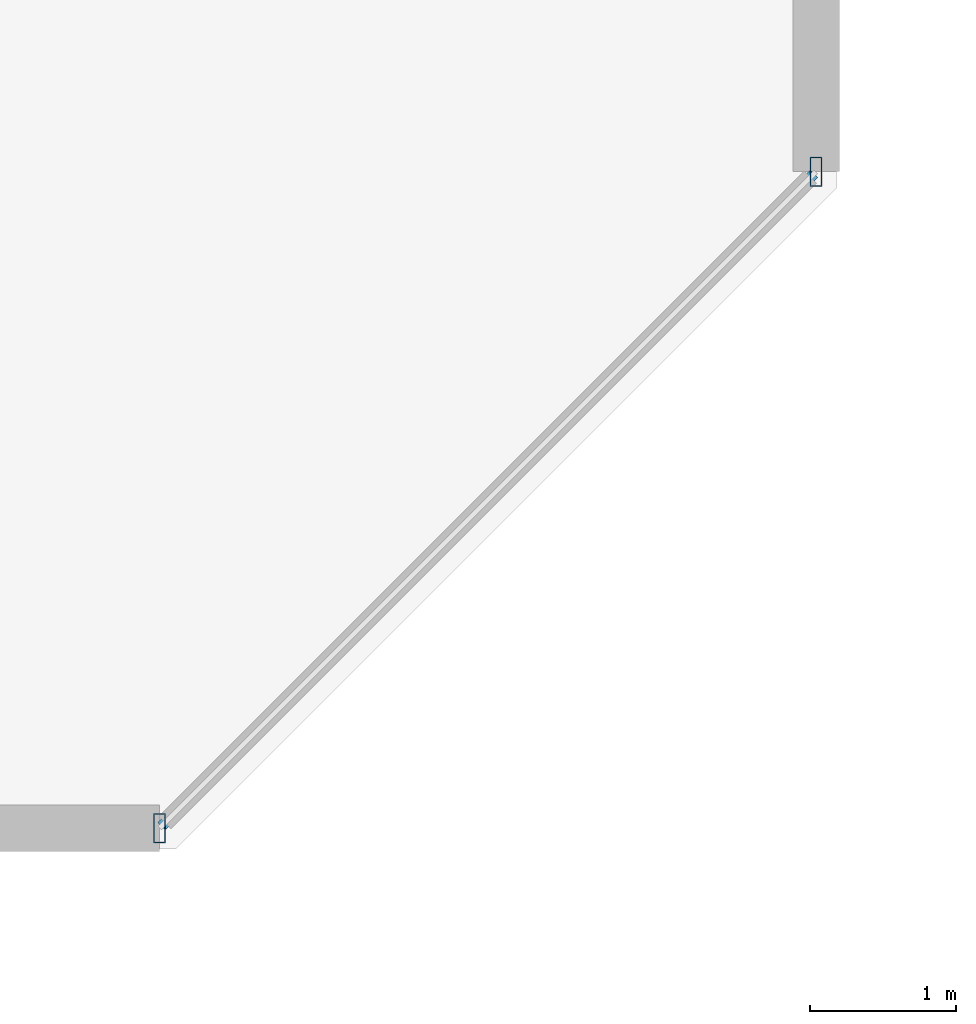
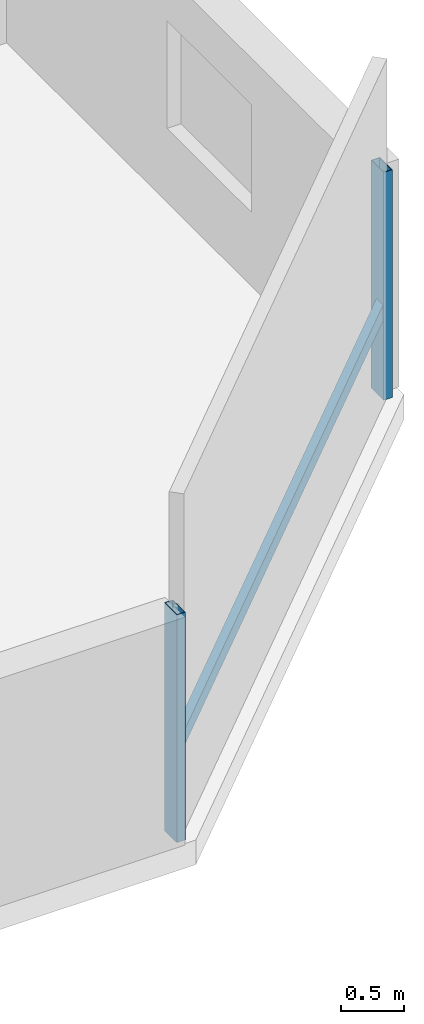
# One storey, part 12 of 35: 3 members, 1 element without a shape of its own.
"""IFC4 building model written with IfcOpenShell, lengths in metres."""

from ifc_helpers import new_model, si_unit, direction, frame, origin, origin_2d, place, context, subcontext, project, spatial, hollow_rectangle, extrude, material, material_profile, profile_set, type_object, element, aggregate, save


model = new_model("IFC4")

# Units and contexts
model_context = context("Model", 3, precision=1e-05, world=origin(), true_north=direction((0.0, 1.0)))
body_context = subcontext(model_context, "Body", "Model", "MODEL_VIEW")
ifc_project = project(units=[si_unit("LENGTHUNIT", "METRE"), si_unit("AREAUNIT", "SQUARE_METRE"), si_unit("VOLUMEUNIT", "CUBIC_METRE"), si_unit("PLANEANGLEUNIT", "RADIAN"), si_unit("MASSUNIT", "GRAM", prefix="KILO")], contexts=[model_context])

# Site, building, storey
site_placement = place(None, origin())
site = spatial("IfcSite", under=ifc_project, at=site_placement, CompositionType="ELEMENT")
building_placement = place(site_placement, origin())
building = spatial("IfcBuilding", under=site, at=building_placement, Name="Thornwick Lancets Civic Towers", CompositionType="ELEMENT")
storey_placement = place(building_placement, frame((0.0, 0.0, 145.5)))
storey = spatial("IfcBuildingStorey", under=building, at=storey_placement, Name="L38", CompositionType="ELEMENT", Elevation=145.5)

# Curtain wall, members
ifc_material_1 = material(Name="Mid-zone chamfered-corner unitised glass curtain wall", Category="glass")
curtain_wall_type = type_object("IfcCurtainWallType", Name="CW_SYS_04", PredefinedType="NOTDEFINED", material=ifc_material_1)
curtain_wall_placement = place(storey_placement, origin())
curtain_wall = element("IfcCurtainWall", 1, at=curtain_wall_placement, inside=storey, type_object=curtain_wall_type, Name="L38 Curtain Wall CW-L38-B-E1", PredefinedType="NOTDEFINED")
ifc_material_2 = material(Name="Thermally broken bronze aluminium S355", Category="steel")
ifc_material_profile_1 = material_profile(ifc_material_2, hollow_rectangle(XDim=0.080078125, YDim=0.199951171875, WallThickness=0.006103515625, at=origin_2d()), Name="RHS 200x80x6")
ifc_profile_set_1 = profile_set([ifc_material_profile_1], Name="Thermally broken bronze aluminium S355")
member_type_1 = type_object("IfcMemberType", Name="CW_MUL_200", PredefinedType="MULLION", material=ifc_profile_set_1)
member_1_placement = place(storey_placement, frame((107.7509765625, 3.24169921875, 0.0), z_axis=(0.0, 0.0, 1.0), x_axis=(1.0, 0.0, 0.0)))
member_1 = element("IfcMember", 2, at=member_1_placement, type_object=member_type_1, Name="CW-L38-B-E1 Mullion 0", PredefinedType="MULLION", context=body_context, shape_type="SweptSolid", body=[
    extrude(hollow_rectangle(XDim=0.080078125, YDim=0.199951171875, WallThickness=0.006103515625, at=origin_2d()), origin(), (0.0, 0.0, 1.0), 2.219970703125),
])
member_2_placement = place(storey_placement, frame((112.25830078125, 7.7490234375, 0.0), z_axis=(0.0, 0.0, 1.0), x_axis=(1.0, 0.0, 0.0)))
member_2 = element("IfcMember", 3, at=member_2_placement, type_object=member_type_1, Name="CW-L38-B-E1 Mullion 1", PredefinedType="MULLION", context=body_context, shape_type="SweptSolid", body=[
    extrude(hollow_rectangle(XDim=0.080078125, YDim=0.199951171875, WallThickness=0.006103515625, at=origin_2d()), origin(), (0.0, 0.0, 1.0), 2.219970703125),
])
ifc_material_profile_2 = material_profile(ifc_material_2, hollow_rectangle(XDim=0.074951171875, YDim=0.14990234375, WallThickness=0.0048828125, at=origin_2d()), Name="RHS 150x75x5")
ifc_profile_set_2 = profile_set([ifc_material_profile_2], Name="Thermally broken bronze aluminium S355")
member_type_2 = type_object("IfcMemberType", Name="CW_TRN_150", PredefinedType="USERDEFINED", material=ifc_profile_set_2)
member_3_placement = place(storey_placement, frame((107.76513671875, 3.255859375, 0.85009765625), z_axis=(0.707106781187, 0.707106781187, 0.0), x_axis=(-0.707106781187, 0.707106781187, 0.0)))
member_3 = element("IfcMember", 4, at=member_3_placement, type_object=member_type_2, Name="CW-L38-B-E1 Transom 0", ObjectType="TRANSOM", PredefinedType="USERDEFINED", context=body_context, shape_type="SweptSolid", body=[
    extrude(hollow_rectangle(XDim=0.074951171875, YDim=0.14990234375, WallThickness=0.0048828125, at=origin_2d()), origin(), (0.0, 0.0, 1.0), 6.334228515625),
])
aggregate(curtain_wall, [member_1, member_2, member_3])

save(model, "model.ifc")
